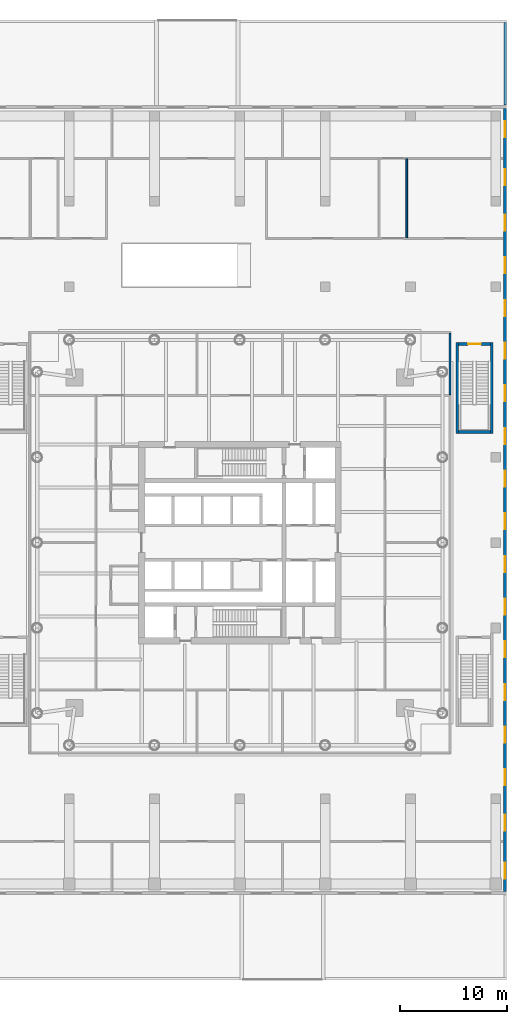
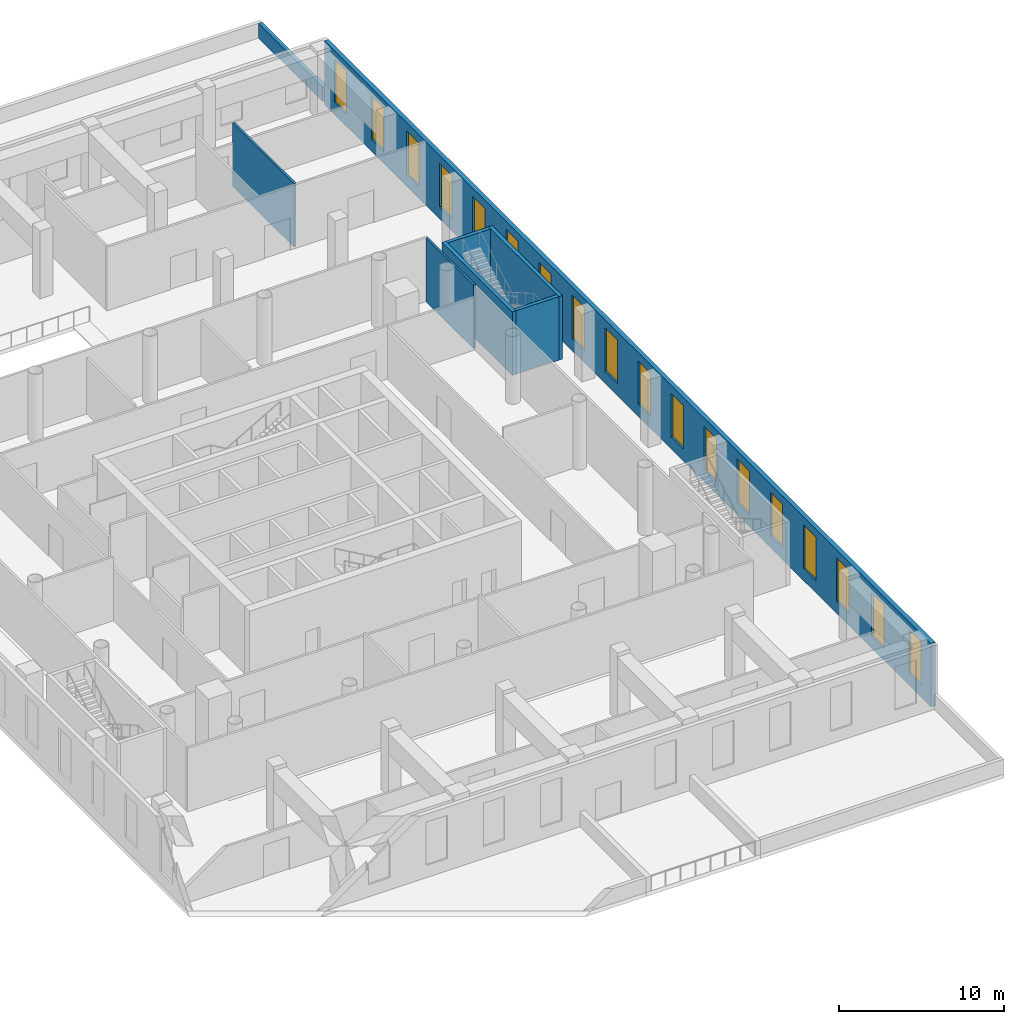
# One storey, part 20 of 26: 18 windows, 8 walls, 1 door, 19 openings.
"""IFC4 building model written with IfcOpenShell, lengths in metres."""

import ifcopenshell
import ifcopenshell.guid

model = None  # the IFC model being written
_history = None  # IfcOwnerHistory: only IFC2X3 demands one
_inside = {}  # id of a spatial element -> (the spatial element, [elements in it])
_under = {}  # id of a project, library or spatial element -> (it, [spatial elements below it])
_declared = {}  # id of a project -> (the project, [libraries it declares])
_typed = {}  # id of a type object -> (the type object, [elements of that type])
_made_of = {}  # id of a material, layer set ... -> (it, [elements and type objects made of it])


def new_model(schema):
    """Start an empty IFC model of exactly this schema.

    Asked for "IFC4X3", IfcOpenShell would pick the latest addendum, in which some entities
    have other attributes; the version numbers below select the first issue.
    IFC2X3 requires an IfcOwnerHistory on every rooted entity: one is made here for all.
    """
    global model, _history
    if schema == "IFC4X3":
        model = ifcopenshell.file(schema_version=(4, 3, 0, 0))
    else:
        model = ifcopenshell.file(schema=schema)
    _inside.clear()
    _under.clear()
    _declared.clear()
    _typed.clear()
    _made_of.clear()
    _history = None
    if model.schema == "IFC2X3":
        org = make("IfcOrganization", Name="unknown")
        user = make(
            "IfcPersonAndOrganization",
            ThePerson=make("IfcPerson", FamilyName="unknown"),
            TheOrganization=org,
        )
        app = make(
            "IfcApplication",
            ApplicationDeveloper=org,
            Version="unknown",
            ApplicationFullName="unknown",
            ApplicationIdentifier="unknown",
        )
        _history = make(
            "IfcOwnerHistory",
            OwningUser=user,
            OwningApplication=app,
            ChangeAction="ADDED",
            CreationDate=0,
        )
    return model


def make(cls, **values):
    """One entity of the class cls with the attributes given. An attribute that is None is left unset."""
    return model.create_entity(
        cls, **{name: value for name, value in values.items() if value is not None}
    )


def rooted(cls, **values):
    """An entity with a GlobalId (a new one), such as an element, a storey or a relation."""
    return make(cls, GlobalId=ifcopenshell.guid.new(), OwnerHistory=_history, **values)


def si_unit(unit_type, name, prefix=None):
    """IfcSIUnit, for example si_unit("LENGTHUNIT", "METRE", prefix="MILLI")."""
    return make("IfcSIUnit", UnitType=unit_type, Prefix=prefix, Name=name)


def assignment(units):
    """IfcUnitAssignment: the units of a project."""
    return None if units is None else make("IfcUnitAssignment", Units=units)


def point(xyz):
    """IfcCartesianPoint."""
    return None if xyz is None else make("IfcCartesianPoint", Coordinates=xyz)


def direction(xyz):
    """IfcDirection."""
    return None if xyz is None else make("IfcDirection", DirectionRatios=xyz)


def frame(location, z_axis=None, x_axis=None):
    """IfcAxis2Placement3D, a coordinate frame: its origin and axes. An axis left out is left unset."""
    return make(
        "IfcAxis2Placement3D",
        Location=point(location),
        Axis=direction(z_axis),
        RefDirection=direction(x_axis),
    )


def frame_2d(location, x_axis=None):
    """IfcAxis2Placement2D, a coordinate frame in the plane: its origin and x axis."""
    return make(
        "IfcAxis2Placement2D", Location=point(location), RefDirection=direction(x_axis)
    )


def origin():
    """The frame at (0, 0, 0) with its axes left unset."""
    return frame((0.0, 0.0, 0.0))


def place(relative_to, where):
    """IfcLocalPlacement: puts the frame where relative to a parent placement (None: the world)."""
    return make(
        "IfcLocalPlacement", PlacementRelTo=relative_to, RelativePlacement=where
    )


def context(
    kind, dimensions, precision=None, world=None, true_north=None, identifier=None
):
    """IfcGeometricRepresentationContext, for example the 3D "Model" context."""
    return make(
        "IfcGeometricRepresentationContext",
        ContextIdentifier=identifier,
        ContextType=kind,
        CoordinateSpaceDimension=dimensions,
        Precision=precision,
        WorldCoordinateSystem=world,
        TrueNorth=true_north,
    )


def subcontext(parent, identifier, kind, view, scale=None):
    """IfcGeometricRepresentationSubContext, for example "Body" below "Model"."""
    return make(
        "IfcGeometricRepresentationSubContext",
        ContextIdentifier=identifier,
        ContextType=kind,
        ParentContext=parent,
        TargetScale=scale,
        TargetView=view,
    )


def project(units=None, contexts=None):
    """IfcProject with its units and contexts."""
    return rooted(
        "IfcProject",
        Name="project",
        RepresentationContexts=contexts,
        UnitsInContext=assignment(units),
    )


def spatial(cls, under=None, at=None, **own):
    """A site, building, storey or space (cls), placed at a placement, below another one or the project."""
    s = rooted(cls, ObjectPlacement=at, **own)
    if under is not None:
        _under.setdefault(under.id(), (under, []))[1].append(s)
    return s


def profile(cls, at=None, kind="AREA", **sizes):
    """A parametric profile (cls). Its sizes go by their IFC names, for example OverallWidth=200.0."""
    return make(cls, ProfileType=kind, Position=at, **sizes)


def rectangle(**sizes):
    """IfcRectangleProfileDef."""
    return profile("IfcRectangleProfileDef", **sizes)


def extrude(swept, where, along, depth):
    """IfcExtrudedAreaSolid: the profile swept, set in the frame where, extruded along a direction by depth."""
    return make(
        "IfcExtrudedAreaSolid",
        SweptArea=swept,
        Position=where,
        ExtrudedDirection=direction(along),
        Depth=depth,
    )


def shape(context_of_items, identifier, shape_type, items):
    """IfcShapeRepresentation: the items that make up one representation, for example the "Body"."""
    return make(
        "IfcShapeRepresentation",
        ContextOfItems=context_of_items,
        RepresentationIdentifier=identifier,
        RepresentationType=shape_type,
        Items=items,
    )


def material(Name=None, Category=None):
    """IfcMaterial."""
    return make("IfcMaterial", Name=Name, Category=Category)


def layer(
    of_material, thickness, ventilated=None, Name=None, Category=None, Priority=None
):
    """IfcMaterialLayer: one layer of a wall or slab, of a material (None: an air gap)."""
    return make(
        "IfcMaterialLayer",
        Material=of_material,
        LayerThickness=thickness,
        IsVentilated=ventilated,
        Name=Name,
        Category=Category,
        Priority=Priority,
    )


def layer_set(layers, Name=None):
    """IfcMaterialLayerSet."""
    return make("IfcMaterialLayerSet", MaterialLayers=layers, LayerSetName=Name)


def made_of(thing, what):
    """Note that an element or type object is made of a material, layer set ...; save() writes the relation."""
    if what is not None:
        _made_of.setdefault(what.id(), (what, []))[1].append(thing)
    return thing


def type_object(cls, material=None, **own):
    """A type object (cls), such as IfcWallType, which elements share."""
    return made_of(rooted(cls, **own), material)


def element(
    cls,
    number,
    at=None,
    inside=None,
    cuts=None,
    type_object=None,
    material=None,
    context=None,
    identifier="Body",
    shape_type=None,
    held_by="IfcProductDefinitionShape",
    body=None,
    shapes=None,
    **own,
):
    """One element of the class cls, such as IfcWall. Its Tag is "e" and its number.

    at: its placement. inside: the storey or other place that contains it. cuts: it is an
    opening in that element (IfcRelVoidsElement). A single representation is given by context,
    identifier, shape_type and body (its items); several are given by shapes. held_by: the class
    of the entity that holds the representations. save() writes the other relations.
    """
    e = rooted(cls, Tag="e%d" % number, ObjectPlacement=at, **own)
    if body is not None:
        shapes = [shape(context, identifier, shape_type, body)]
    if shapes is not None:
        e.Representation = make(held_by, Representations=shapes)
    if inside is not None:
        _inside.setdefault(inside.id(), (inside, []))[1].append(e)
    if cuts is not None:
        rooted(
            "IfcRelVoidsElement", RelatingBuildingElement=cuts, RelatedOpeningElement=e
        )
    if type_object is not None:
        _typed.setdefault(type_object.id(), (type_object, []))[1].append(e)
    return made_of(e, material)


def fill(opening, filler):
    """IfcRelFillsElement: the door or window that sits in an opening."""
    return rooted(
        "IfcRelFillsElement",
        RelatingOpeningElement=opening,
        RelatedBuildingElement=filler,
    )


def aggregate(whole, parts):
    """IfcRelAggregates: a whole, such as a stair, and the parts it consists of."""
    return rooted("IfcRelAggregates", RelatingObject=whole, RelatedObjects=parts)


def save(model, path):
    """Write the relations noted so far, then the file.

    IfcRelAggregates (storeys below a building ...), IfcRelContainedInSpatialStructure (elements
    in a storey), IfcRelDefinesByType, IfcRelAssociatesMaterial and IfcRelDeclares: one each for
    every whole, place, type object, material and project.
    """
    for whole, parts in _under.values():
        aggregate(whole, parts)
    for where, things in _inside.values():
        rooted(
            "IfcRelContainedInSpatialStructure",
            RelatedElements=things,
            RelatingStructure=where,
        )
    for kind, things in _typed.values():
        rooted("IfcRelDefinesByType", RelatedObjects=things, RelatingType=kind)
    for what, things in _made_of.values():
        rooted("IfcRelAssociatesMaterial", RelatedObjects=things, RelatingMaterial=what)
    for by, libraries in _declared.values():
        rooted("IfcRelDeclares", RelatingContext=by, RelatedDefinitions=libraries)
    model.write(path)


model = new_model("IFC4")

# Units and contexts
model_context = context("Model", 3, precision=1e-05, world=origin(), true_north=direction((0.0, 1.0)))
body_context = subcontext(model_context, "Body", "Model", "MODEL_VIEW")
ifc_project = project(units=[si_unit("LENGTHUNIT", "METRE"), si_unit("AREAUNIT", "SQUARE_METRE"), si_unit("VOLUMEUNIT", "CUBIC_METRE"), si_unit("PLANEANGLEUNIT", "RADIAN"), si_unit("MASSUNIT", "GRAM", prefix="KILO")], contexts=[model_context])

# Site, building, storey
site_placement = place(None, origin())
site = spatial("IfcSite", under=ifc_project, at=site_placement, CompositionType="ELEMENT")
building_placement = place(site_placement, origin())
building = spatial("IfcBuilding", under=site, at=building_placement, Name="Ostroluk Exchange", CompositionType="ELEMENT")
storey_placement = place(building_placement, frame((0.0, 0.0, 6.0)))
storey = spatial("IfcBuildingStorey", under=building, at=storey_placement, Name="L01", CompositionType="ELEMENT", Elevation=6.0)

# Walls
ifc_material_1 = material(Name="Concrete blockwork", Category="masonry")
ifc_layer_1 = layer(ifc_material_1, 0.25)
ifc_layer_set_1 = layer_set([ifc_layer_1], Name="Blockwork stair enclosure wall 250")
wall_type_1 = type_object("IfcWallType", Name="Blockwork stair enclosure wall 250", PredefinedType="SOLIDWALL", material=ifc_layer_set_1)
for number, where, z_axis, x_axis, name in (
    (1, (137.375, 56.25, 0.0), (0.0, 0.0, 1.0), (0.0, 1.0, 0.0), "Stair PS8 enclosure wall"),
    (2, (140.625, 56.25, 0.0), (0.0, 0.0, 1.0), (0.0, 1.0, 0.0), "Stair PS8 enclosure wall"),
):
    element("IfcWall", number, at=place(storey_placement, frame(where, z_axis=z_axis, x_axis=x_axis)), inside=storey, type_object=wall_type_1, Name=name, PredefinedType="SOLIDWALL", context=body_context, shape_type="SweptSolid", body=[
        extrude(rectangle(XDim=8.5, YDim=0.25, at=frame_2d((4.25, 0.0))), origin(), (0.0, 0.0, 1.0), 4.699951171875),
    ])
wall_1_placement = place(storey_placement, frame((137.5, 56.375, 0.0), z_axis=(0.0, 0.0, 1.0), x_axis=(1.0, 0.0, 0.0)))
element("IfcWall", 3, at=wall_1_placement, inside=storey, type_object=wall_type_1, Name="Stair PS8 enclosure wall", PredefinedType="SOLIDWALL", context=body_context, shape_type="SweptSolid", body=[
    extrude(rectangle(XDim=3.0, YDim=0.25, at=frame_2d((1.5, 0.0))), origin(), (0.0, 0.0, 1.0), 4.699951171875),
])

# Wall, opening, door
wall_2_placement = place(storey_placement, frame((137.5, 64.625, 0.0), z_axis=(0.0, 0.0, 1.0), x_axis=(1.0, 0.0, 0.0)))
wall_2 = element("IfcWall", 4, at=wall_2_placement, inside=storey, type_object=wall_type_1, Name="Stair PS8 enclosure wall", PredefinedType="SOLIDWALL", context=body_context, shape_type="SweptSolid", body=[
    extrude(rectangle(XDim=3.0, YDim=0.25, at=frame_2d((1.5, 0.0))), origin(), (0.0, 0.0, 1.0), 4.699951171875),
])
opening_1_placement = place(wall_2_placement, frame((0.89990234375, 0.0, 0.0)))
opening_1 = element("IfcOpeningElement", 5, at=opening_1_placement, cuts=wall_2, Name="Opening FD60S", PredefinedType="OPENING", context=body_context, shape_type="SweptSolid", body=[
    extrude(rectangle(XDim=1.199951171875, YDim=2.10009765625, at=frame_2d((0.60009765625, 1.050048828125))), frame((0.0, 0.135009765625, 0.0), z_axis=(0.0, -1.0, 0.0), x_axis=(1.0, 0.0, 0.0)), (0.0, 0.0, 1.0), 0.27001953125),
])
ifc_material_2 = material(Name="Steel", Category="steel")
door_type = type_object("IfcDoorType", Name="Stair door EI 60 1200 x 2100", OperationType="SINGLE_SWING_LEFT", PredefinedType="DOOR", material=ifc_material_2)
door_placement = place(opening_1_placement, origin())
door = element("IfcDoor", 6, at=door_placement, inside=storey, type_object=door_type, Name="Stair PS8 door", OperationType="SINGLE_SWING_LEFT", OverallHeight=2.10009765625, OverallWidth=1.199951171875, PredefinedType="DOOR", context=body_context, shape_type="SweptSolid", body=[
    extrude(rectangle(XDim=1.199951171875, YDim=2.10009765625, at=frame_2d((0.60009765625, 1.050048828125))), frame((0.0, 0.02490234375, 0.0), z_axis=(0.0, -1.0, 0.0), x_axis=(1.0, 0.0, 0.0)), (0.0, 0.0, 1.0), 0.050048828125),
])
fill(opening_1, door)

# Wall
ifc_material_3 = material(Name="Limestone", Category="masonry")
ifc_layer_2 = layer(ifc_material_3, 0.25)
ifc_layer_set_2 = layer_set([ifc_layer_2], Name="Green roof parapet 250")
wall_type_2 = type_object("IfcWallType", Name="Green roof parapet 250", PredefinedType="PARAPET", material=ifc_layer_set_2)
wall_3_placement = place(storey_placement, frame((141.875, 87.010009765625, 0.0), z_axis=(0.0, 0.0, 1.0), x_axis=(0.0, 1.0, 0.0)))
element("IfcWall", 7, at=wall_3_placement, inside=storey, type_object=wall_type_2, Name="Green roof parapet L01 2", PredefinedType="PARAPET", context=body_context, shape_type="SweptSolid", body=[
    extrude(rectangle(XDim=7.739990234375, YDim=0.25, at=frame_2d((3.8701171875, 0.0))), origin(), (0.0, 0.0, 1.0), 1.10009765625),
])

# Wall, openings, windows
ifc_material_4 = material(Name="Limestone", Category="masonry")
ifc_layer_3 = layer(ifc_material_4, 0.300048828125)
ifc_layer_set_3 = layer_set([ifc_layer_3], Name="Limestone facade wall 300")
wall_type_3 = type_object("IfcWallType", Name="Limestone facade wall 300", PredefinedType="SOLIDWALL", material=ifc_layer_set_3)
wall_4_placement = place(storey_placement, frame((141.85009765625, 13.300048828125, 0.0), z_axis=(0.0, 0.0, 1.0), x_axis=(0.0, 1.0, 0.0)))
wall_4 = element("IfcWall", 8, at=wall_4_placement, inside=storey, type_object=wall_type_3, Name="Podium east E wall L01 1a", PredefinedType="SOLIDWALL", context=body_context, shape_type="SweptSolid", body=[
    extrude(rectangle(XDim=73.39990234375, YDim=0.300048828125, at=frame_2d((36.699951171875, 0.0))), origin(), (0.0, 0.0, 1.0), 4.699951171875),
])
opening_2_placement = place(wall_4_placement, frame((1.199951171875, 0.0, 0.89990234375)))
opening_2 = element("IfcOpeningElement", 9, at=opening_2_placement, cuts=wall_4, Name="Opening WN-L2", PredefinedType="OPENING", context=body_context, shape_type="SweptSolid", body=[
    extrude(rectangle(XDim=1.5, YDim=3.199951171875, at=frame_2d((0.75, 1.60009765625))), frame((0.0, 0.159912109375, 0.0), z_axis=(0.0, -1.0, 0.0), x_axis=(1.0, 0.0, 0.0)), (0.0, 0.0, 1.0), 0.320068359375),
])
opening_3_placement = place(wall_4_placement, frame((5.699951171875, 0.0, 0.89990234375)))
opening_3 = element("IfcOpeningElement", 10, at=opening_3_placement, cuts=wall_4, Name="Opening WN-L2", PredefinedType="OPENING", context=body_context, shape_type="SweptSolid", body=[
    extrude(rectangle(XDim=1.5, YDim=3.199951171875, at=frame_2d((0.75, 1.60009765625))), frame((0.0, 0.159912109375, 0.0), z_axis=(0.0, -1.0, 0.0), x_axis=(1.0, 0.0, 0.0)), (0.0, 0.0, 1.0), 0.320068359375),
])
opening_4_placement = place(wall_4_placement, frame((9.949951171875, 0.0, 0.89990234375)))
opening_4 = element("IfcOpeningElement", 11, at=opening_4_placement, cuts=wall_4, Name="Opening WN-L2", PredefinedType="OPENING", context=body_context, shape_type="SweptSolid", body=[
    extrude(rectangle(XDim=1.5, YDim=3.199951171875, at=frame_2d((0.75, 1.60009765625))), frame((0.0, 0.159912109375, 0.0), z_axis=(0.0, -1.0, 0.0), x_axis=(1.0, 0.0, 0.0)), (0.0, 0.0, 1.0), 0.320068359375),
])
opening_5_placement = place(wall_4_placement, frame((13.949951171875, 0.0, 0.89990234375)))
opening_5 = element("IfcOpeningElement", 12, at=opening_5_placement, cuts=wall_4, Name="Opening WN-L2", PredefinedType="OPENING", context=body_context, shape_type="SweptSolid", body=[
    extrude(rectangle(XDim=1.5, YDim=3.199951171875, at=frame_2d((0.75, 1.60009765625))), frame((0.0, 0.159912109375, 0.0), z_axis=(0.0, -1.0, 0.0), x_axis=(1.0, 0.0, 0.0)), (0.0, 0.0, 1.0), 0.320068359375),
])
opening_6_placement = place(wall_4_placement, frame((17.949951171875, 0.0, 0.89990234375)))
opening_6 = element("IfcOpeningElement", 13, at=opening_6_placement, cuts=wall_4, Name="Opening WN-L2", PredefinedType="OPENING", context=body_context, shape_type="SweptSolid", body=[
    extrude(rectangle(XDim=1.5, YDim=3.199951171875, at=frame_2d((0.75, 1.60009765625))), frame((0.0, 0.159912109375, 0.0), z_axis=(0.0, -1.0, 0.0), x_axis=(1.0, 0.0, 0.0)), (0.0, 0.0, 1.0), 0.320068359375),
])
opening_7_placement = place(wall_4_placement, frame((21.949951171875, 0.0, 0.89990234375)))
opening_7 = element("IfcOpeningElement", 14, at=opening_7_placement, cuts=wall_4, Name="Opening WN-L2", PredefinedType="OPENING", context=body_context, shape_type="SweptSolid", body=[
    extrude(rectangle(XDim=1.5, YDim=3.199951171875, at=frame_2d((0.75, 1.60009765625))), frame((0.0, 0.159912109375, 0.0), z_axis=(0.0, -1.0, 0.0), x_axis=(1.0, 0.0, 0.0)), (0.0, 0.0, 1.0), 0.320068359375),
])
opening_8_placement = place(wall_4_placement, frame((25.949951171875, 0.0, 0.89990234375)))
opening_8 = element("IfcOpeningElement", 15, at=opening_8_placement, cuts=wall_4, Name="Opening WN-L2", PredefinedType="OPENING", context=body_context, shape_type="SweptSolid", body=[
    extrude(rectangle(XDim=1.5, YDim=3.199951171875, at=frame_2d((0.75, 1.60009765625))), frame((0.0, 0.159912109375, 0.0), z_axis=(0.0, -1.0, 0.0), x_axis=(1.0, 0.0, 0.0)), (0.0, 0.0, 1.0), 0.320068359375),
])
opening_9_placement = place(wall_4_placement, frame((29.949951171875, 0.0, 0.89990234375)))
opening_9 = element("IfcOpeningElement", 16, at=opening_9_placement, cuts=wall_4, Name="Opening WN-L2", PredefinedType="OPENING", context=body_context, shape_type="SweptSolid", body=[
    extrude(rectangle(XDim=1.5, YDim=3.199951171875, at=frame_2d((0.75, 1.60009765625))), frame((0.0, 0.159912109375, 0.0), z_axis=(0.0, -1.0, 0.0), x_axis=(1.0, 0.0, 0.0)), (0.0, 0.0, 1.0), 0.320068359375),
])
opening_10_placement = place(wall_4_placement, frame((33.949951171875, 0.0, 0.89990234375)))
opening_10 = element("IfcOpeningElement", 17, at=opening_10_placement, cuts=wall_4, Name="Opening WN-L2", PredefinedType="OPENING", context=body_context, shape_type="SweptSolid", body=[
    extrude(rectangle(XDim=1.5, YDim=3.199951171875, at=frame_2d((0.75, 1.60009765625))), frame((0.0, 0.159912109375, 0.0), z_axis=(0.0, -1.0, 0.0), x_axis=(1.0, 0.0, 0.0)), (0.0, 0.0, 1.0), 0.320068359375),
])
opening_11_placement = place(wall_4_placement, frame((37.949951171875, 0.0, 0.89990234375)))
opening_11 = element("IfcOpeningElement", 18, at=opening_11_placement, cuts=wall_4, Name="Opening WN-L2", PredefinedType="OPENING", context=body_context, shape_type="SweptSolid", body=[
    extrude(rectangle(XDim=1.5, YDim=3.199951171875, at=frame_2d((0.75, 1.60009765625))), frame((0.0, 0.159912109375, 0.0), z_axis=(0.0, -1.0, 0.0), x_axis=(1.0, 0.0, 0.0)), (0.0, 0.0, 1.0), 0.320068359375),
])
opening_12_placement = place(wall_4_placement, frame((41.949951171875, 0.0, 0.89990234375)))
opening_12 = element("IfcOpeningElement", 19, at=opening_12_placement, cuts=wall_4, Name="Opening WN-L2", PredefinedType="OPENING", context=body_context, shape_type="SweptSolid", body=[
    extrude(rectangle(XDim=1.5, YDim=3.199951171875, at=frame_2d((0.75, 1.60009765625))), frame((0.0, 0.159912109375, 0.0), z_axis=(0.0, -1.0, 0.0), x_axis=(1.0, 0.0, 0.0)), (0.0, 0.0, 1.0), 0.320068359375),
])
opening_13_placement = place(wall_4_placement, frame((45.949951171875, 0.0, 0.89990234375)))
opening_13 = element("IfcOpeningElement", 20, at=opening_13_placement, cuts=wall_4, Name="Opening WN-L2", PredefinedType="OPENING", context=body_context, shape_type="SweptSolid", body=[
    extrude(rectangle(XDim=1.5, YDim=3.199951171875, at=frame_2d((0.75, 1.60009765625))), frame((0.0, 0.159912109375, 0.0), z_axis=(0.0, -1.0, 0.0), x_axis=(1.0, 0.0, 0.0)), (0.0, 0.0, 1.0), 0.320068359375),
])
opening_14_placement = place(wall_4_placement, frame((49.949951171875, 0.0, 0.89990234375)))
opening_14 = element("IfcOpeningElement", 21, at=opening_14_placement, cuts=wall_4, Name="Opening WN-L2", PredefinedType="OPENING", context=body_context, shape_type="SweptSolid", body=[
    extrude(rectangle(XDim=1.5, YDim=3.199951171875, at=frame_2d((0.75, 1.60009765625))), frame((0.0, 0.159912109375, 0.0), z_axis=(0.0, -1.0, 0.0), x_axis=(1.0, 0.0, 0.0)), (0.0, 0.0, 1.0), 0.320068359375),
])
opening_15_placement = place(wall_4_placement, frame((53.949951171875, 0.0, 0.89990234375)))
opening_15 = element("IfcOpeningElement", 22, at=opening_15_placement, cuts=wall_4, Name="Opening WN-L2", PredefinedType="OPENING", context=body_context, shape_type="SweptSolid", body=[
    extrude(rectangle(XDim=1.5, YDim=3.199951171875, at=frame_2d((0.75, 1.60009765625))), frame((0.0, 0.159912109375, 0.0), z_axis=(0.0, -1.0, 0.0), x_axis=(1.0, 0.0, 0.0)), (0.0, 0.0, 1.0), 0.320068359375),
])
opening_16_placement = place(wall_4_placement, frame((57.949951171875, 0.0, 0.89990234375)))
opening_16 = element("IfcOpeningElement", 23, at=opening_16_placement, cuts=wall_4, Name="Opening WN-L2", PredefinedType="OPENING", context=body_context, shape_type="SweptSolid", body=[
    extrude(rectangle(XDim=1.5, YDim=3.199951171875, at=frame_2d((0.75, 1.60009765625))), frame((0.0, 0.159912109375, 0.0), z_axis=(0.0, -1.0, 0.0), x_axis=(1.0, 0.0, 0.0)), (0.0, 0.0, 1.0), 0.320068359375),
])
opening_17_placement = place(wall_4_placement, frame((61.949951171875, 0.0, 0.89990234375)))
opening_17 = element("IfcOpeningElement", 24, at=opening_17_placement, cuts=wall_4, Name="Opening WN-L2", PredefinedType="OPENING", context=body_context, shape_type="SweptSolid", body=[
    extrude(rectangle(XDim=1.5, YDim=3.199951171875, at=frame_2d((0.75, 1.60009765625))), frame((0.0, 0.159912109375, 0.0), z_axis=(0.0, -1.0, 0.0), x_axis=(1.0, 0.0, 0.0)), (0.0, 0.0, 1.0), 0.320068359375),
])
opening_18_placement = place(wall_4_placement, frame((66.199951171875, 0.0, 0.89990234375)))
opening_18 = element("IfcOpeningElement", 25, at=opening_18_placement, cuts=wall_4, Name="Opening WN-L2", PredefinedType="OPENING", context=body_context, shape_type="SweptSolid", body=[
    extrude(rectangle(XDim=1.5, YDim=3.199951171875, at=frame_2d((0.75, 1.60009765625))), frame((0.0, 0.159912109375, 0.0), z_axis=(0.0, -1.0, 0.0), x_axis=(1.0, 0.0, 0.0)), (0.0, 0.0, 1.0), 0.320068359375),
])
opening_19_placement = place(wall_4_placement, frame((70.699951171875, 0.0, 0.89990234375)))
opening_19 = element("IfcOpeningElement", 26, at=opening_19_placement, cuts=wall_4, Name="Opening WN-L2", PredefinedType="OPENING", context=body_context, shape_type="SweptSolid", body=[
    extrude(rectangle(XDim=1.5, YDim=3.199951171875, at=frame_2d((0.75, 1.60009765625))), frame((0.0, 0.159912109375, 0.0), z_axis=(0.0, -1.0, 0.0), x_axis=(1.0, 0.0, 0.0)), (0.0, 0.0, 1.0), 0.320068359375),
])
ifc_material_5 = material(Name="Laminated clear glass", Category="glass")
window_type = type_object("IfcWindowType", Name="Podium lancet window 1500 x 3200", PartitioningType="DOUBLE_PANEL_VERTICAL", PredefinedType="WINDOW", material=ifc_material_5)
window_1_placement = place(opening_2_placement, origin())
window_1 = element("IfcWindow", 27, at=window_1_placement, inside=storey, type_object=window_type, Name="Podium east lancet window E L01 1.1", OverallHeight=3.199951171875, OverallWidth=1.5, PartitioningType="SINGLE_PANEL", PredefinedType="WINDOW", context=body_context, shape_type="SweptSolid", body=[
    extrude(rectangle(XDim=1.5, YDim=3.199951171875, at=frame_2d((0.75, 1.60009765625))), frame((0.0, 0.030029296875, 0.0), z_axis=(0.0, -1.0, 0.0), x_axis=(1.0, 0.0, 0.0)), (0.0, 0.0, 1.0), 0.06005859375),
])
fill(opening_2, window_1)
window_2_placement = place(opening_3_placement, origin())
window_2 = element("IfcWindow", 28, at=window_2_placement, inside=storey, type_object=window_type, Name="Podium east lancet window E L01 1.2", OverallHeight=3.199951171875, OverallWidth=1.5, PartitioningType="SINGLE_PANEL", PredefinedType="WINDOW", context=body_context, shape_type="SweptSolid", body=[
    extrude(rectangle(XDim=1.5, YDim=3.199951171875, at=frame_2d((0.75, 1.60009765625))), frame((0.0, 0.030029296875, 0.0), z_axis=(0.0, -1.0, 0.0), x_axis=(1.0, 0.0, 0.0)), (0.0, 0.0, 1.0), 0.06005859375),
])
fill(opening_3, window_2)
window_3_placement = place(opening_4_placement, origin())
window_3 = element("IfcWindow", 29, at=window_3_placement, inside=storey, type_object=window_type, Name="Podium east lancet window E L01 2.1", OverallHeight=3.199951171875, OverallWidth=1.5, PartitioningType="SINGLE_PANEL", PredefinedType="WINDOW", context=body_context, shape_type="SweptSolid", body=[
    extrude(rectangle(XDim=1.5, YDim=3.199951171875, at=frame_2d((0.75, 1.60009765625))), frame((0.0, 0.030029296875, 0.0), z_axis=(0.0, -1.0, 0.0), x_axis=(1.0, 0.0, 0.0)), (0.0, 0.0, 1.0), 0.06005859375),
])
fill(opening_4, window_3)
window_4_placement = place(opening_5_placement, origin())
window_4 = element("IfcWindow", 30, at=window_4_placement, inside=storey, type_object=window_type, Name="Podium east lancet window E L01 2.2", OverallHeight=3.199951171875, OverallWidth=1.5, PartitioningType="SINGLE_PANEL", PredefinedType="WINDOW", context=body_context, shape_type="SweptSolid", body=[
    extrude(rectangle(XDim=1.5, YDim=3.199951171875, at=frame_2d((0.75, 1.60009765625))), frame((0.0, 0.030029296875, 0.0), z_axis=(0.0, -1.0, 0.0), x_axis=(1.0, 0.0, 0.0)), (0.0, 0.0, 1.0), 0.06005859375),
])
fill(opening_5, window_4)
window_5_placement = place(opening_6_placement, origin())
window_5 = element("IfcWindow", 31, at=window_5_placement, inside=storey, type_object=window_type, Name="Podium east lancet window E L01 3.1", OverallHeight=3.199951171875, OverallWidth=1.5, PartitioningType="SINGLE_PANEL", PredefinedType="WINDOW", context=body_context, shape_type="SweptSolid", body=[
    extrude(rectangle(XDim=1.5, YDim=3.199951171875, at=frame_2d((0.75, 1.60009765625))), frame((0.0, 0.030029296875, 0.0), z_axis=(0.0, -1.0, 0.0), x_axis=(1.0, 0.0, 0.0)), (0.0, 0.0, 1.0), 0.06005859375),
])
fill(opening_6, window_5)
window_6_placement = place(opening_7_placement, origin())
window_6 = element("IfcWindow", 32, at=window_6_placement, inside=storey, type_object=window_type, Name="Podium east lancet window E L01 3.2", OverallHeight=3.199951171875, OverallWidth=1.5, PartitioningType="SINGLE_PANEL", PredefinedType="WINDOW", context=body_context, shape_type="SweptSolid", body=[
    extrude(rectangle(XDim=1.5, YDim=3.199951171875, at=frame_2d((0.75, 1.60009765625))), frame((0.0, 0.030029296875, 0.0), z_axis=(0.0, -1.0, 0.0), x_axis=(1.0, 0.0, 0.0)), (0.0, 0.0, 1.0), 0.06005859375),
])
fill(opening_7, window_6)
window_7_placement = place(opening_8_placement, origin())
window_7 = element("IfcWindow", 33, at=window_7_placement, inside=storey, type_object=window_type, Name="Podium east lancet window E L01 4.1", OverallHeight=3.199951171875, OverallWidth=1.5, PartitioningType="SINGLE_PANEL", PredefinedType="WINDOW", context=body_context, shape_type="SweptSolid", body=[
    extrude(rectangle(XDim=1.5, YDim=3.199951171875, at=frame_2d((0.75, 1.60009765625))), frame((0.0, 0.030029296875, 0.0), z_axis=(0.0, -1.0, 0.0), x_axis=(1.0, 0.0, 0.0)), (0.0, 0.0, 1.0), 0.06005859375),
])
fill(opening_8, window_7)
window_8_placement = place(opening_9_placement, origin())
window_8 = element("IfcWindow", 34, at=window_8_placement, inside=storey, type_object=window_type, Name="Podium east lancet window E L01 4.2", OverallHeight=3.199951171875, OverallWidth=1.5, PartitioningType="SINGLE_PANEL", PredefinedType="WINDOW", context=body_context, shape_type="SweptSolid", body=[
    extrude(rectangle(XDim=1.5, YDim=3.199951171875, at=frame_2d((0.75, 1.60009765625))), frame((0.0, 0.030029296875, 0.0), z_axis=(0.0, -1.0, 0.0), x_axis=(1.0, 0.0, 0.0)), (0.0, 0.0, 1.0), 0.06005859375),
])
fill(opening_9, window_8)
window_9_placement = place(opening_10_placement, origin())
window_9 = element("IfcWindow", 35, at=window_9_placement, inside=storey, type_object=window_type, Name="Podium east lancet window E L01 5.1", OverallHeight=3.199951171875, OverallWidth=1.5, PartitioningType="SINGLE_PANEL", PredefinedType="WINDOW", context=body_context, shape_type="SweptSolid", body=[
    extrude(rectangle(XDim=1.5, YDim=3.199951171875, at=frame_2d((0.75, 1.60009765625))), frame((0.0, 0.030029296875, 0.0), z_axis=(0.0, -1.0, 0.0), x_axis=(1.0, 0.0, 0.0)), (0.0, 0.0, 1.0), 0.06005859375),
])
fill(opening_10, window_9)
window_10_placement = place(opening_11_placement, origin())
window_10 = element("IfcWindow", 36, at=window_10_placement, inside=storey, type_object=window_type, Name="Podium east lancet window E L01 5.2", OverallHeight=3.199951171875, OverallWidth=1.5, PartitioningType="SINGLE_PANEL", PredefinedType="WINDOW", context=body_context, shape_type="SweptSolid", body=[
    extrude(rectangle(XDim=1.5, YDim=3.199951171875, at=frame_2d((0.75, 1.60009765625))), frame((0.0, 0.030029296875, 0.0), z_axis=(0.0, -1.0, 0.0), x_axis=(1.0, 0.0, 0.0)), (0.0, 0.0, 1.0), 0.06005859375),
])
fill(opening_11, window_10)
window_11_placement = place(opening_12_placement, origin())
window_11 = element("IfcWindow", 37, at=window_11_placement, inside=storey, type_object=window_type, Name="Podium east lancet window E L01 6.1", OverallHeight=3.199951171875, OverallWidth=1.5, PartitioningType="SINGLE_PANEL", PredefinedType="WINDOW", context=body_context, shape_type="SweptSolid", body=[
    extrude(rectangle(XDim=1.5, YDim=3.199951171875, at=frame_2d((0.75, 1.60009765625))), frame((0.0, 0.030029296875, 0.0), z_axis=(0.0, -1.0, 0.0), x_axis=(1.0, 0.0, 0.0)), (0.0, 0.0, 1.0), 0.06005859375),
])
fill(opening_12, window_11)
window_12_placement = place(opening_13_placement, origin())
window_12 = element("IfcWindow", 38, at=window_12_placement, inside=storey, type_object=window_type, Name="Podium east lancet window E L01 6.2", OverallHeight=3.199951171875, OverallWidth=1.5, PartitioningType="SINGLE_PANEL", PredefinedType="WINDOW", context=body_context, shape_type="SweptSolid", body=[
    extrude(rectangle(XDim=1.5, YDim=3.199951171875, at=frame_2d((0.75, 1.60009765625))), frame((0.0, 0.030029296875, 0.0), z_axis=(0.0, -1.0, 0.0), x_axis=(1.0, 0.0, 0.0)), (0.0, 0.0, 1.0), 0.06005859375),
])
fill(opening_13, window_12)
window_13_placement = place(opening_14_placement, origin())
window_13 = element("IfcWindow", 39, at=window_13_placement, inside=storey, type_object=window_type, Name="Podium east lancet window E L01 7.1", OverallHeight=3.199951171875, OverallWidth=1.5, PartitioningType="SINGLE_PANEL", PredefinedType="WINDOW", context=body_context, shape_type="SweptSolid", body=[
    extrude(rectangle(XDim=1.5, YDim=3.199951171875, at=frame_2d((0.75, 1.60009765625))), frame((0.0, 0.030029296875, 0.0), z_axis=(0.0, -1.0, 0.0), x_axis=(1.0, 0.0, 0.0)), (0.0, 0.0, 1.0), 0.06005859375),
])
fill(opening_14, window_13)
window_14_placement = place(opening_15_placement, origin())
window_14 = element("IfcWindow", 40, at=window_14_placement, inside=storey, type_object=window_type, Name="Podium east lancet window E L01 7.2", OverallHeight=3.199951171875, OverallWidth=1.5, PartitioningType="SINGLE_PANEL", PredefinedType="WINDOW", context=body_context, shape_type="SweptSolid", body=[
    extrude(rectangle(XDim=1.5, YDim=3.199951171875, at=frame_2d((0.75, 1.60009765625))), frame((0.0, 0.030029296875, 0.0), z_axis=(0.0, -1.0, 0.0), x_axis=(1.0, 0.0, 0.0)), (0.0, 0.0, 1.0), 0.06005859375),
])
fill(opening_15, window_14)
window_15_placement = place(opening_16_placement, origin())
window_15 = element("IfcWindow", 41, at=window_15_placement, inside=storey, type_object=window_type, Name="Podium east lancet window E L01 8.1", OverallHeight=3.199951171875, OverallWidth=1.5, PartitioningType="SINGLE_PANEL", PredefinedType="WINDOW", context=body_context, shape_type="SweptSolid", body=[
    extrude(rectangle(XDim=1.5, YDim=3.199951171875, at=frame_2d((0.75, 1.60009765625))), frame((0.0, 0.030029296875, 0.0), z_axis=(0.0, -1.0, 0.0), x_axis=(1.0, 0.0, 0.0)), (0.0, 0.0, 1.0), 0.06005859375),
])
fill(opening_16, window_15)
window_16_placement = place(opening_17_placement, origin())
window_16 = element("IfcWindow", 42, at=window_16_placement, inside=storey, type_object=window_type, Name="Podium east lancet window E L01 8.2", OverallHeight=3.199951171875, OverallWidth=1.5, PartitioningType="SINGLE_PANEL", PredefinedType="WINDOW", context=body_context, shape_type="SweptSolid", body=[
    extrude(rectangle(XDim=1.5, YDim=3.199951171875, at=frame_2d((0.75, 1.60009765625))), frame((0.0, 0.030029296875, 0.0), z_axis=(0.0, -1.0, 0.0), x_axis=(1.0, 0.0, 0.0)), (0.0, 0.0, 1.0), 0.06005859375),
])
fill(opening_17, window_16)
window_17_placement = place(opening_18_placement, origin())
window_17 = element("IfcWindow", 43, at=window_17_placement, inside=storey, type_object=window_type, Name="Podium east lancet window E L01 9.1", OverallHeight=3.199951171875, OverallWidth=1.5, PartitioningType="SINGLE_PANEL", PredefinedType="WINDOW", context=body_context, shape_type="SweptSolid", body=[
    extrude(rectangle(XDim=1.5, YDim=3.199951171875, at=frame_2d((0.75, 1.60009765625))), frame((0.0, 0.030029296875, 0.0), z_axis=(0.0, -1.0, 0.0), x_axis=(1.0, 0.0, 0.0)), (0.0, 0.0, 1.0), 0.06005859375),
])
fill(opening_18, window_17)
window_18_placement = place(opening_19_placement, origin())
window_18 = element("IfcWindow", 44, at=window_18_placement, inside=storey, type_object=window_type, Name="Podium east lancet window E L01 9.2", OverallHeight=3.199951171875, OverallWidth=1.5, PartitioningType="SINGLE_PANEL", PredefinedType="WINDOW", context=body_context, shape_type="SweptSolid", body=[
    extrude(rectangle(XDim=1.5, YDim=3.199951171875, at=frame_2d((0.75, 1.60009765625))), frame((0.0, 0.030029296875, 0.0), z_axis=(0.0, -1.0, 0.0), x_axis=(1.0, 0.0, 0.0)), (0.0, 0.0, 1.0), 0.06005859375),
])
fill(opening_19, window_18)

# Walls
ifc_material_6 = material(Name="Gypsum plasterboard partition", Category="gypsum")
ifc_layer_4 = layer(ifc_material_6, 0.14990234375)
ifc_layer_set_4 = layer_set([ifc_layer_4], Name="Plasterboard partition 150")
wall_type_4 = type_object("IfcWallType", Name="Plasterboard partition 150", PredefinedType="PARTITIONING", material=ifc_layer_set_4)
wall_5_placement = place(storey_placement, frame((136.699951171875, 59.875, 0.0), z_axis=(0.0, 0.0, 1.0), x_axis=(0.0, 1.0, 0.0)))
element("IfcWall", 45, at=wall_5_placement, inside=storey, type_object=wall_type_4, Name="Partition", PredefinedType="PARTITIONING", context=body_context, shape_type="SweptSolid", body=[
    extrude(rectangle(XDim=5.75, YDim=0.14990234375, at=frame_2d((2.875, 0.0))), origin(), (0.0, 0.0, 1.0), 4.699951171875),
])
wall_6_placement = place(storey_placement, frame((132.64990234375, 74.574951171875, 0.0), z_axis=(0.0, 0.0, 1.0), x_axis=(0.0, 1.0, 0.0)))
element("IfcWall", 46, at=wall_6_placement, inside=storey, type_object=wall_type_4, Name="Partition", PredefinedType="PARTITIONING", context=body_context, shape_type="SweptSolid", body=[
    extrude(rectangle(XDim=7.425048828125, YDim=0.14990234375, at=frame_2d((3.71240234375, 0.0))), origin(), (0.0, 0.0, 1.0), 4.699951171875),
])

save(model, "model.ifc")
